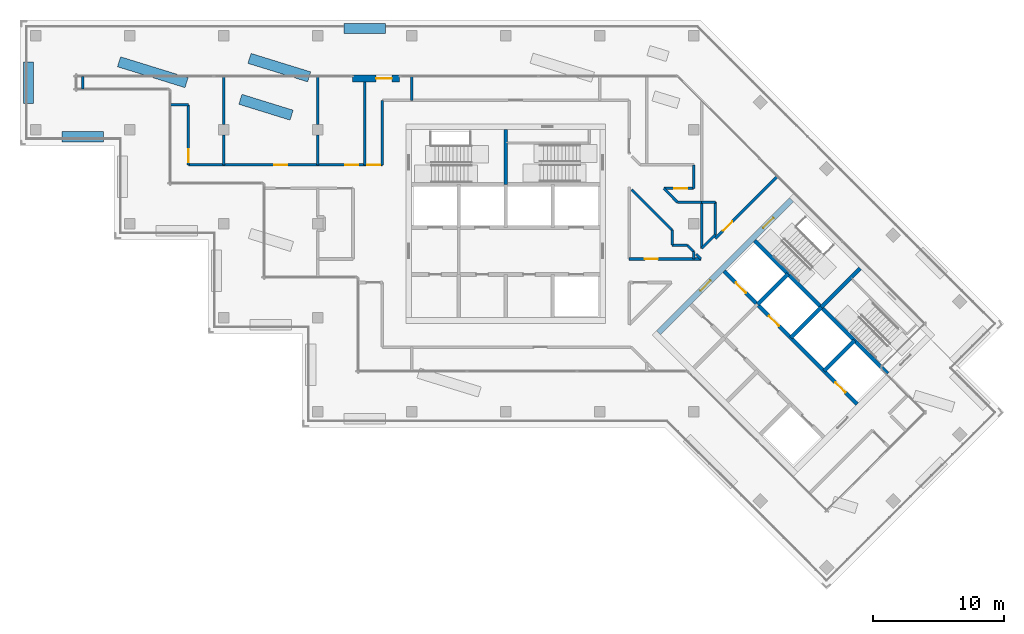
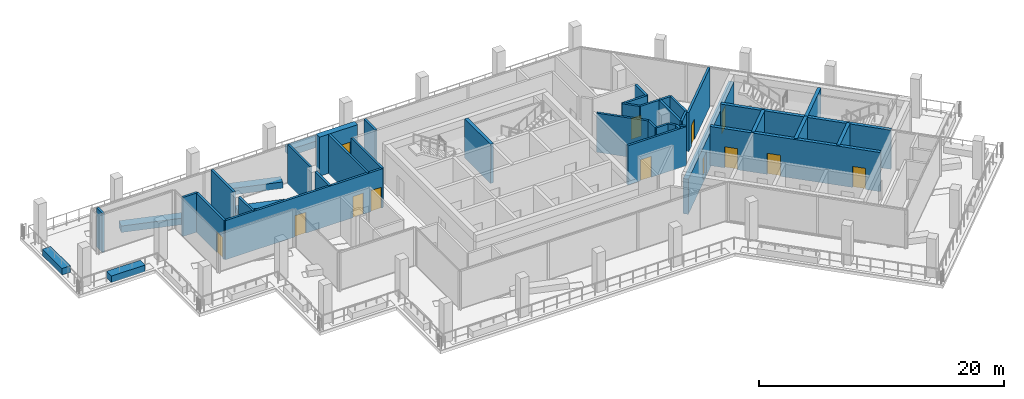
# One storey, part 10 of 20: 43 walls, 13 doors, 13 openings.
"""IFC4 building model written with IfcOpenShell, lengths in metres."""

from ifc_helpers import new_model, si_unit, direction, frame, frame_2d, origin, place, context, subcontext, project, spatial, rectangle, extrude, material, layer, layer_set, type_object, element, fill, save


model = new_model("IFC4")

# Units and contexts
model_context = context("Model", 3, precision=1e-05, world=origin(), true_north=direction((0.0, 1.0)))
body_context = subcontext(model_context, "Body", "Model", "MODEL_VIEW")
ifc_project = project(units=[si_unit("LENGTHUNIT", "METRE"), si_unit("AREAUNIT", "SQUARE_METRE"), si_unit("VOLUMEUNIT", "CUBIC_METRE"), si_unit("PLANEANGLEUNIT", "RADIAN"), si_unit("MASSUNIT", "GRAM", prefix="KILO")], contexts=[model_context])

# Site, building, storey
site_placement = place(None, origin())
site = spatial("IfcSite", under=ifc_project, at=site_placement, CompositionType="ELEMENT")
building_placement = place(site_placement, origin())
building = spatial("IfcBuilding", under=site, at=building_placement, Name="Windrow Commons", CompositionType="ELEMENT")
storey_placement = place(building_placement, frame((0.0, 0.0, 239.6)))
storey = spatial("IfcBuildingStorey", under=building, at=storey_placement, Name="L65", CompositionType="ELEMENT", Elevation=239.6)

# Wall, opening, door
ifc_material_1 = material(Name="Brick masonry, red clay brick", Category="masonry")
ifc_layer_1 = layer(ifc_material_1, 0.55)
ifc_layer_set_1 = layer_set([ifc_layer_1], Name="Brick facade wall 550")
wall_type_1 = type_object("IfcWallType", Name="Brick facade wall 550", PredefinedType="SOLIDWALL", material=ifc_layer_set_1)
wall_1_placement = place(storey_placement, frame((56.6784, 68.725, 0.0), z_axis=(0.0, 0.0, 1.0), x_axis=(-1.0, 0.0, 0.0)))
wall_1 = element("IfcWall", 1, at=wall_1_placement, inside=storey, type_object=wall_type_1, Name="Brick facade wall L65 door pier 4", PredefinedType="SOLIDWALL", context=body_context, shape_type="SweptSolid", body=[
    extrude(rectangle(XDim=3.6, YDim=0.55, at=frame_2d((1.8, 0.0))), origin(), (0.0, 0.0, 1.0), 3.9),
])
opening_1_placement = place(wall_1_placement, frame((0.6, 0.0, 0.0)))
opening_1 = element("IfcOpeningElement", 2, at=opening_1_placement, cuts=wall_1, Name="Opening TD7", PredefinedType="OPENING", context=body_context, shape_type="SweptSolid", body=[
    extrude(rectangle(XDim=1.2, YDim=2.4, at=frame_2d((0.6, 1.2))), frame((0.0, 0.285, 0.0), z_axis=(0.0, -1.0, 0.0), x_axis=(1.0, 0.0, 0.0)), (0.0, 0.0, 1.0), 0.57),
])
ifc_material_2 = material(Name="Aluminium 6063-T6 anodised frame with clear glass", Category="aluminium")
door_type_1 = type_object("IfcDoorType", Name="Terrace door TD7 1200x2400", OperationType="SINGLE_SWING_LEFT", PredefinedType="DOOR", material=ifc_material_2)
door_1_placement = place(opening_1_placement, origin())
door_1 = element("IfcDoor", 3, at=door_1_placement, inside=storey, type_object=door_type_1, Name="Terrace door L65 4.1", OperationType="SINGLE_SWING_LEFT", OverallHeight=2.4, OverallWidth=1.2, PredefinedType="DOOR", context=body_context, shape_type="SweptSolid", body=[
    extrude(rectangle(XDim=1.2, YDim=2.4, at=frame_2d((0.6, 1.2))), frame((0.0, 0.025, 0.0), z_axis=(0.0, -1.0, 0.0), x_axis=(1.0, 0.0, 0.0)), (0.0, 0.0, 1.0), 0.05),
])
fill(opening_1, door_1)

# Wall, openings, doors
ifc_material_3 = material(Name="Blockwork partition", Category="masonry")
ifc_layer_2 = layer(ifc_material_3, 0.2)
ifc_layer_set_2 = layer_set([ifc_layer_2], Name="IW-CORRIDOR-200")
wall_type_2 = type_object("IfcWallType", Name="IW-CORRIDOR-200", PredefinedType="PARTITIONING", material=ifc_layer_set_2)
wall_2_placement = place(storey_placement, frame((40.502, 62.1, 0.0), z_axis=(0.0, 0.0, 1.0), x_axis=(1.0, 0.0, 0.0)))
wall_2 = element("IfcWall", 4, at=wall_2_placement, inside=storey, type_object=wall_type_2, Name="W-L65-W002", PredefinedType="PARTITIONING", context=body_context, shape_type="SweptSolid", body=[
    extrude(rectangle(XDim=14.848, YDim=0.2, at=frame_2d((7.424, 0.0))), origin(), (0.0, 0.0, 1.0), 3.9),
])
opening_2_placement = place(wall_2_placement, frame((6.5605, 0.0, 0.0)))
opening_2 = element("IfcOpeningElement", 5, at=opening_2_placement, cuts=wall_2, Name="Opening D310F", PredefinedType="OPENING", context=body_context, shape_type="SweptSolid", body=[
    extrude(rectangle(XDim=1.0, YDim=2.1, at=frame_2d((0.5, 1.05))), frame((0.0, 0.11, 0.0), z_axis=(0.0, -1.0, 0.0), x_axis=(1.0, 0.0, 0.0)), (0.0, 0.0, 1.0), 0.22),
])
opening_3_placement = place(wall_2_placement, frame((11.9905, 0.0, 0.0)))
opening_3 = element("IfcOpeningElement", 6, at=opening_3_placement, cuts=wall_2, Name="Opening D310F", PredefinedType="OPENING", context=body_context, shape_type="SweptSolid", body=[
    extrude(rectangle(XDim=1.0, YDim=2.1, at=frame_2d((0.5, 1.05))), frame((0.0, 0.11, 0.0), z_axis=(0.0, -1.0, 0.0), x_axis=(1.0, 0.0, 0.0)), (0.0, 0.0, 1.0), 0.22),
])
opening_4_placement = place(wall_2_placement, frame((13.6951, 0.0, 0.0)))
opening_4 = element("IfcOpeningElement", 7, at=opening_4_placement, cuts=wall_2, Name="Opening D310F", PredefinedType="OPENING", context=body_context, shape_type="SweptSolid", body=[
    extrude(rectangle(XDim=1.0, YDim=2.1, at=frame_2d((0.5, 1.05))), frame((0.0, 0.11, 0.0), z_axis=(0.0, -1.0, 0.0), x_axis=(1.0, 0.0, 0.0)), (0.0, 0.0, 1.0), 0.22),
])
ifc_material_4 = material(Name="Timber door leaf", Category="wood")
door_type_2 = type_object("IfcDoorType", Name="DT-AMENITY-1000", OperationType="SINGLE_SWING_LEFT", PredefinedType="DOOR", material=ifc_material_4)
door_2_placement = place(opening_2_placement, origin())
door_2 = element("IfcDoor", 8, at=door_2_placement, inside=storey, type_object=door_type_2, Name="D-L65-D007", OperationType="SINGLE_SWING_RIGHT", OverallHeight=2.1, OverallWidth=1.0, PredefinedType="DOOR", context=body_context, shape_type="SweptSolid", body=[
    extrude(rectangle(XDim=1.0, YDim=2.1, at=frame_2d((0.5, 1.05))), frame((0.0, 0.025, 0.0), z_axis=(0.0, -1.0, 0.0), x_axis=(1.0, 0.0, 0.0)), (0.0, 0.0, 1.0), 0.05),
])
fill(opening_2, door_2)
door_3_placement = place(opening_3_placement, origin())
door_3 = element("IfcDoor", 9, at=door_3_placement, inside=storey, type_object=door_type_2, Name="D-L65-D008", OperationType="SINGLE_SWING_RIGHT", OverallHeight=2.1, OverallWidth=1.0, PredefinedType="DOOR", context=body_context, shape_type="SweptSolid", body=[
    extrude(rectangle(XDim=1.0, YDim=2.1, at=frame_2d((0.5, 1.05))), frame((0.0, 0.025, 0.0), z_axis=(0.0, -1.0, 0.0), x_axis=(1.0, 0.0, 0.0)), (0.0, 0.0, 1.0), 0.05),
])
fill(opening_3, door_3)
door_4_placement = place(opening_4_placement, origin())
door_4 = element("IfcDoor", 10, at=door_4_placement, inside=storey, type_object=door_type_2, Name="D-L65-D009", OperationType="SINGLE_SWING_LEFT", OverallHeight=2.1, OverallWidth=1.0, PredefinedType="DOOR", context=body_context, shape_type="SweptSolid", body=[
    extrude(rectangle(XDim=1.0, YDim=2.1, at=frame_2d((0.5, 1.05))), frame((0.0, 0.025, 0.0), z_axis=(0.0, -1.0, 0.0), x_axis=(1.0, 0.0, 0.0)), (0.0, 0.0, 1.0), 0.05),
])
fill(opening_4, door_4)

# Wall, opening, door
wall_3_placement = place(storey_placement, frame((80.8515, 56.4705, 0.0), z_axis=(0.0, 0.0, 1.0), x_axis=(0.7071067812, 0.7071067812, 0.0)))
wall_3 = element("IfcWall", 11, at=wall_3_placement, inside=storey, type_object=wall_type_2, Name="W-L65-W008", PredefinedType="PARTITIONING", context=body_context, shape_type="SweptSolid", body=[
    extrude(rectangle(XDim=6.6836, YDim=0.2, at=frame_2d((3.3418, 0.0))), origin(), (0.0, 0.0, 1.0), 3.9),
])
opening_5_placement = place(wall_3_placement, frame((0.8318, 0.0, 0.0)))
opening_5 = element("IfcOpeningElement", 12, at=opening_5_placement, cuts=wall_3, Name="Opening D310F", PredefinedType="OPENING", context=body_context, shape_type="SweptSolid", body=[
    extrude(rectangle(XDim=1.0, YDim=2.1, at=frame_2d((0.5, 1.05))), frame((0.0, 0.11, 0.0), z_axis=(0.0, -1.0, 0.0), x_axis=(1.0, 0.0, 0.0)), (0.0, 0.0, 1.0), 0.22),
])
door_5_placement = place(opening_5_placement, origin())
door_5 = element("IfcDoor", 13, at=door_5_placement, inside=storey, type_object=door_type_2, Name="D-L65-D013", OperationType="SINGLE_SWING_RIGHT", OverallHeight=2.1, OverallWidth=1.0, PredefinedType="DOOR", context=body_context, shape_type="SweptSolid", body=[
    extrude(rectangle(XDim=1.0, YDim=2.1, at=frame_2d((0.5, 1.05))), frame((0.0, 0.025, 0.0), z_axis=(0.0, -1.0, 0.0), x_axis=(1.0, 0.0, 0.0)), (0.0, 0.0, 1.0), 0.05),
])
fill(opening_5, door_5)

wall_4_placement = place(storey_placement, frame((74.252, 54.9, 0.0), z_axis=(0.0, 0.0, 1.0), x_axis=(1.0, 0.0, 0.0)))
wall_4 = element("IfcWall", 14, at=wall_4_placement, inside=storey, type_object=wall_type_2, Name="W-L65-W009", PredefinedType="PARTITIONING", context=body_context, shape_type="SweptSolid", body=[
    extrude(rectangle(XDim=5.5, YDim=0.2, at=frame_2d((2.75, 0.0))), origin(), (0.0, 0.0, 1.0), 3.9),
])
opening_6_placement = place(wall_4_placement, frame((1.2037, 0.0, 0.0)))
opening_6 = element("IfcOpeningElement", 15, at=opening_6_placement, cuts=wall_4, Name="Opening D310F", PredefinedType="OPENING", context=body_context, shape_type="SweptSolid", body=[
    extrude(rectangle(XDim=1.0, YDim=2.1, at=frame_2d((0.5, 1.05))), frame((0.0, 0.11, 0.0), z_axis=(0.0, -1.0, 0.0), x_axis=(1.0, 0.0, 0.0)), (0.0, 0.0, 1.0), 0.22),
])
door_6_placement = place(opening_6_placement, origin())
door_6 = element("IfcDoor", 16, at=door_6_placement, inside=storey, type_object=door_type_2, Name="D-L65-D005", OperationType="SINGLE_SWING_LEFT", OverallHeight=2.1, OverallWidth=1.0, PredefinedType="DOOR", context=body_context, shape_type="SweptSolid", body=[
    extrude(rectangle(XDim=1.0, YDim=2.1, at=frame_2d((0.5, 1.05))), frame((0.0, 0.025, 0.0), z_axis=(0.0, -1.0, 0.0), x_axis=(1.0, 0.0, 0.0)), (0.0, 0.0, 1.0), 0.05),
])
fill(opening_6, door_6)

# Wall
wall_5_placement = place(storey_placement, frame((55.35, 62.102, 0.0), z_axis=(0.0, 0.0, 1.0), x_axis=(0.0, 1.0, 0.0)))
element("IfcWall", 17, at=wall_5_placement, inside=storey, type_object=wall_type_2, Name="W-L65-W013", PredefinedType="PARTITIONING", context=body_context, shape_type="SweptSolid", body=[
    extrude(rectangle(XDim=4.948, YDim=0.2, at=frame_2d((2.474, 0.0))), origin(), (0.0, 0.0, 1.0), 3.9),
])

# Wall, opening, door
wall_6_placement = place(storey_placement, frame((40.5, 62.102, 0.0), z_axis=(0.0, 0.0, 1.0), x_axis=(0.0, 1.0, 0.0)))
wall_6 = element("IfcWall", 18, at=wall_6_placement, inside=storey, type_object=wall_type_2, Name="W-L65-W014", PredefinedType="PARTITIONING", context=body_context, shape_type="SweptSolid", body=[
    extrude(rectangle(XDim=4.596, YDim=0.2, at=frame_2d((2.298, 0.0))), origin(), (0.0, 0.0, 1.0), 3.9),
])
opening_7_placement = place(wall_6_placement, frame((0.1956, 0.0, 0.0)))
opening_7 = element("IfcOpeningElement", 19, at=opening_7_placement, cuts=wall_6, Name="Opening D310F", PredefinedType="OPENING", context=body_context, shape_type="SweptSolid", body=[
    extrude(rectangle(XDim=1.0, YDim=2.1, at=frame_2d((0.5, 1.05))), frame((0.0, 0.11, 0.0), z_axis=(0.0, -1.0, 0.0), x_axis=(1.0, 0.0, 0.0)), (0.0, 0.0, 1.0), 0.22),
])
door_7_placement = place(opening_7_placement, origin())
door_7 = element("IfcDoor", 20, at=door_7_placement, inside=storey, type_object=door_type_2, Name="D-L65-D006", OperationType="SINGLE_SWING_LEFT", OverallHeight=2.1, OverallWidth=1.0, PredefinedType="DOOR", context=body_context, shape_type="SweptSolid", body=[
    extrude(rectangle(XDim=1.0, YDim=2.1, at=frame_2d((0.5, 1.05))), frame((0.0, 0.025, 0.0), z_axis=(0.0, -1.0, 0.0), x_axis=(1.0, 0.0, 0.0)), (0.0, 0.0, 1.0), 0.05),
])
fill(opening_7, door_7)

# Walls
wall_7_placement = place(storey_placement, frame((74.4466, 60.2006, 0.0), z_axis=(0.0, 0.0, 1.0), x_axis=(0.7071067812, -0.7071067812, 0.0)))
element("IfcWall", 21, at=wall_7_placement, inside=storey, type_object=wall_type_2, Name="W-L65-W016", PredefinedType="PARTITIONING", context=body_context, shape_type="SweptSolid", body=[
    extrude(rectangle(XDim=4.3841, YDim=0.2, at=frame_2d((2.1921, 0.0))), origin(), (0.0, 0.0, 1.0), 3.9),
])
wall_8_placement = place(storey_placement, frame((79.8, 55.702, 0.0), z_axis=(0.0, 0.0, 1.0), x_axis=(0.0, 1.0, 0.0)))
element("IfcWall", 22, at=wall_8_placement, inside=storey, type_object=wall_type_2, Name="W-L65-W021", PredefinedType="PARTITIONING", context=body_context, shape_type="SweptSolid", body=[
    extrude(rectangle(XDim=3.548, YDim=0.2, at=frame_2d((1.774, 0.0))), origin(), (0.0, 0.0, 1.0), 3.9),
])

# Wall, opening, door
wall_9_placement = place(storey_placement, frame((76.902, 60.3, 0.0), z_axis=(0.0, 0.0, 1.0), x_axis=(1.0, 0.0, 0.0)))
wall_9 = element("IfcWall", 23, at=wall_9_placement, inside=storey, type_object=wall_type_2, Name="W-L65-W029", PredefinedType="PARTITIONING", context=body_context, shape_type="SweptSolid", body=[
    extrude(rectangle(XDim=2.296, YDim=0.2, at=frame_2d((1.148, 0.0))), origin(), (0.0, 0.0, 1.0), 3.9),
])
opening_8_placement = place(wall_9_placement, frame((0.8134, 0.0, 0.0)))
opening_8 = element("IfcOpeningElement", 24, at=opening_8_placement, cuts=wall_9, Name="Opening D310F", PredefinedType="OPENING", context=body_context, shape_type="SweptSolid", body=[
    extrude(rectangle(XDim=1.0, YDim=2.1, at=frame_2d((0.5, 1.05))), frame((0.0, 0.11, 0.0), z_axis=(0.0, -1.0, 0.0), x_axis=(1.0, 0.0, 0.0)), (0.0, 0.0, 1.0), 0.22),
])
door_8_placement = place(opening_8_placement, origin())
door_8 = element("IfcDoor", 25, at=door_8_placement, inside=storey, type_object=door_type_2, Name="D-L65-D012", OperationType="SINGLE_SWING_LEFT", OverallHeight=2.1, OverallWidth=1.0, PredefinedType="DOOR", context=body_context, shape_type="SweptSolid", body=[
    extrude(rectangle(XDim=1.0, YDim=2.1, at=frame_2d((0.5, 1.05))), frame((0.0, 0.025, 0.0), z_axis=(0.0, -1.0, 0.0), x_axis=(1.0, 0.0, 0.0)), (0.0, 0.0, 1.0), 0.05),
])
fill(opening_8, door_8)

# Walls
wall_10_placement = place(storey_placement, frame((77.95, 59.25, 0.0), z_axis=(0.0, 0.0, 1.0), x_axis=(1.0, 0.0, 0.0)))
element("IfcWall", 26, at=wall_10_placement, inside=storey, type_object=wall_type_2, Name="W-L65-W033", PredefinedType="PARTITIONING", context=body_context, shape_type="SweptSolid", body=[
    extrude(rectangle(XDim=1.85, YDim=0.2, at=frame_2d((0.925, 0.0))), origin(), (0.0, 0.0, 1.0), 3.9),
])
wall_11_placement = place(storey_placement, frame((79.2, 60.302, 0.0), z_axis=(0.0, 0.0, 1.0), x_axis=(0.0, 1.0, 0.0)))
element("IfcWall", 27, at=wall_11_placement, inside=storey, type_object=wall_type_2, Name="W-L65-W039", PredefinedType="PARTITIONING", context=body_context, shape_type="SweptSolid", body=[
    extrude(rectangle(XDim=1.798, YDim=0.2, at=frame_2d((0.899, 0.0))), origin(), (0.0, 0.0, 1.0), 3.9),
])
wall_12_placement = place(storey_placement, frame((76.9037, 60.3017, 0.0), z_axis=(0.0, 0.0, 1.0), x_axis=(0.7064323832, -0.7077805366, 0.0)))
element("IfcWall", 28, at=wall_12_placement, inside=storey, type_object=wall_type_2, Name="W-L65-W041", PredefinedType="PARTITIONING", context=body_context, shape_type="SweptSolid", body=[
    extrude(rectangle(XDim=1.4835, YDim=0.2, at=frame_2d((0.7418, 0.0))), origin(), (0.0, 0.0, 1.0), 3.9),
])
wall_13_placement = place(storey_placement, frame((79.8011, 55.7029, 0.0), z_axis=(0.0, 0.0, 1.0), x_axis=(0.7071067812, 0.7071067812, 0.0)))
element("IfcWall", 29, at=wall_13_placement, inside=storey, type_object=wall_type_2, Name="W-L65-W042", PredefinedType="PARTITIONING", context=body_context, shape_type="SweptSolid", body=[
    extrude(rectangle(XDim=1.4821, YDim=0.2, at=frame_2d((0.741, 0.0))), origin(), (0.0, 0.0, 1.0), 3.9),
])
wall_14_placement = place(storey_placement, frame((39.13, 66.7, 0.0), z_axis=(0.0, 0.0, 1.0), x_axis=(1.0, 0.0, 0.0)))
element("IfcWall", 30, at=wall_14_placement, inside=storey, type_object=wall_type_2, Name="W-L65-W044", PredefinedType="PARTITIONING", context=body_context, shape_type="SweptSolid", body=[
    extrude(rectangle(XDim=1.368, YDim=0.2, at=frame_2d((0.684, 0.0))), origin(), (0.0, 0.0, 1.0), 3.9),
])
for number, where, z_axis, x_axis, name in (
    (31, (77.55, 55.952, 0.0), (0.0, 0.0, 1.0), (0.0, 1.0, 0.0), "W-L65-W045"),
    (32, (77.552, 55.95, 0.0), (0.0, 0.0, 1.0), (1.0, 0.0, 0.0), "W-L65-W046"),
):
    element("IfcWall", number, at=place(storey_placement, frame(where, z_axis=z_axis, x_axis=x_axis)), inside=storey, type_object=wall_type_2, Name=name, PredefinedType="PARTITIONING", context=body_context, shape_type="SweptSolid", body=[
        extrude(rectangle(XDim=1.152, YDim=0.2, at=frame_2d((0.576, 0.0))), origin(), (0.0, 0.0, 1.0), 3.9),
    ])
wall_15_placement = place(storey_placement, frame((78.7006, 55.9466, 0.0), z_axis=(0.0, 0.0, 1.0), x_axis=(0.7071067812, -0.7071067812, 0.0)))
element("IfcWall", 33, at=wall_15_placement, inside=storey, type_object=wall_type_2, Name="W-L65-W051", PredefinedType="PARTITIONING", context=body_context, shape_type="SweptSolid", body=[
    extrude(rectangle(XDim=0.7014, YDim=0.2, at=frame_2d((0.3507, 0.0))), origin(), (0.0, 0.0, 1.0), 3.9),
])
wall_16_placement = place(storey_placement, frame((79.3777, 55.2777, 0.0), z_axis=(0.0, 0.0, 1.0), x_axis=(0.7089898784, -0.7052186557, 0.0)))
element("IfcWall", 34, at=wall_16_placement, inside=storey, type_object=wall_type_2, Name="W-L65-W054", PredefinedType="PARTITIONING", context=body_context, shape_type="SweptSolid", body=[
    extrude(rectangle(XDim=0.5303, YDim=0.2, at=frame_2d((0.2651, 0.0))), origin(), (0.0, 0.0, 1.0), 3.9),
])
ifc_material_5 = material(Name="Blockwork partition", Category="masonry")
ifc_layer_3 = layer(ifc_material_5, 0.2)
ifc_layer_set_3 = layer_set([ifc_layer_3], Name="IW-PARTY-200")
wall_type_3 = type_object("IfcWallType", Name="IW-PARTY-200", PredefinedType="PARTITIONING", material=ifc_layer_set_3)
wall_17_placement = place(storey_placement, frame((54.0, 62.1, 0.0), z_axis=(0.0, 0.0, 1.0), x_axis=(0.0, 1.0, 0.0)))
element("IfcWall", 35, at=wall_17_placement, inside=storey, type_object=wall_type_3, Name="W-L65-W006", PredefinedType="PARTITIONING", context=body_context, shape_type="SweptSolid", body=[
    extrude(rectangle(XDim=6.35, YDim=0.2, at=frame_2d((3.175, 0.0))), origin(), (0.0, 0.0, 1.0), 3.9),
])
for number, where, z_axis, x_axis, name in (
    (36, (43.2, 65.2, 0.0), (0.0, 0.0, 1.0), (0.0, 1.0, 0.0), "W-L65-W019"),
    (37, (50.4, 65.2, 0.0), (0.0, 0.0, 1.0), (0.0, 1.0, 0.0), "W-L65-W020"),
):
    element("IfcWall", number, at=place(storey_placement, frame(where, z_axis=z_axis, x_axis=x_axis)), inside=storey, type_object=wall_type_3, Name=name, PredefinedType="PARTITIONING", context=body_context, shape_type="SweptSolid", body=[
        extrude(rectangle(XDim=3.67, YDim=0.2, at=frame_2d((1.835, 0.0))), origin(), (0.0, 0.0, 1.0), 3.9),
    ])
wall_18_placement = place(storey_placement, frame((80.85, 56.75, 0.0), z_axis=(0.0, 0.0, 1.0), x_axis=(0.0, 1.0, 0.0)))
element("IfcWall", 38, at=wall_18_placement, inside=storey, type_object=wall_type_3, Name="W-L65-W026", PredefinedType="PARTITIONING", context=body_context, shape_type="SweptSolid", body=[
    extrude(rectangle(XDim=2.498, YDim=0.2, at=frame_2d((1.249, 0.0))), origin(), (0.0, 0.0, 1.0), 3.9),
])
for number, where, z_axis, x_axis, name in (
    (39, (43.2, 62.1, 0.0), (0.0, 0.0, 1.0), (0.0, 1.0, 0.0), "W-L65-W027"),
    (40, (50.4, 62.1, 0.0), (0.0, 0.0, 1.0), (0.0, 1.0, 0.0), "W-L65-W028"),
):
    element("IfcWall", number, at=place(storey_placement, frame(where, z_axis=z_axis, x_axis=x_axis)), inside=storey, type_object=wall_type_3, Name=name, PredefinedType="PARTITIONING", context=body_context, shape_type="SweptSolid", body=[
        extrude(rectangle(XDim=2.3, YDim=0.2, at=frame_2d((1.15, 0.0))), origin(), (0.0, 0.0, 1.0), 3.9),
    ])
wall_19_placement = place(storey_placement, frame((57.6, 67.05, 0.0), z_axis=(0.0, 0.0, 1.0), x_axis=(0.0, 1.0, 0.0)))
element("IfcWall", 41, at=wall_19_placement, inside=storey, type_object=wall_type_3, Name="W-L65-W034", PredefinedType="PARTITIONING", context=body_context, shape_type="SweptSolid", body=[
    extrude(rectangle(XDim=1.82, YDim=0.2, at=frame_2d((0.91, 0.0))), origin(), (0.0, 0.0, 1.0), 3.9),
])
wall_20_placement = place(storey_placement, frame((79.8, 59.25, 0.0), z_axis=(0.0, 0.0, 1.0), x_axis=(1.0, 0.0, 0.0)))
element("IfcWall", 42, at=wall_20_placement, inside=storey, type_object=wall_type_3, Name="W-L65-W047", PredefinedType="PARTITIONING", context=body_context, shape_type="SweptSolid", body=[
    extrude(rectangle(XDim=1.048, YDim=0.2, at=frame_2d((0.524, 0.0))), origin(), (0.0, 0.0, 1.0), 3.9),
])
wall_21_placement = place(storey_placement, frame((32.4, 67.93, 0.0), z_axis=(0.0, 0.0, 1.0), x_axis=(0.0, 1.0, 0.0)))
element("IfcWall", 43, at=wall_21_placement, inside=storey, type_object=wall_type_3, Name="W-L65-W049", PredefinedType="PARTITIONING", context=body_context, shape_type="SweptSolid", body=[
    extrude(rectangle(XDim=0.94, YDim=0.2, at=frame_2d((0.47, 0.0))), origin(), (0.0, 0.0, 1.0), 3.9),
])
wall_22_placement = place(storey_placement, frame((79.2, 54.9, 0.0), z_axis=(0.0, 0.0, 1.0), x_axis=(0.0, 1.0, 0.0)))
element("IfcWall", 44, at=wall_22_placement, inside=storey, type_object=wall_type_3, Name="W-L65-W053", PredefinedType="PARTITIONING", context=body_context, shape_type="SweptSolid", body=[
    extrude(rectangle(XDim=0.552, YDim=0.2, at=frame_2d((0.276, 0.0))), origin(), (0.0, 0.0, 1.0), 3.9),
])
ifc_material_6 = material(Name="Concrete C30/37 planter wall", Category="concrete")
ifc_layer_4 = layer(ifc_material_6, 0.8)
ifc_layer_set_4 = layer_set([ifc_layer_4], Name="Planter 800x600")
wall_type_4 = type_object("IfcWallType", Name="Planter 800x600", PredefinedType="SOLIDWALL", material=ifc_layer_set_4)
for number, where, z_axis, x_axis, name in (
    (45, (55.6, 72.55, 0.0), (0.0, 0.0, 1.0), (-1.0, 0.0, 0.0), "PLANTER TR-L65-1.5"),
    (46, (28.25, 70.0, 0.0), (0.0, 0.0, 1.0), (0.0, -1.0, 0.0), "PLANTER TR-L65-1.6"),
    (47, (30.8, 64.25, 0.0), (0.0, 0.0, 1.0), (1.0, 0.0, 0.0), "PLANTER TR-L65-1.7"),
):
    element("IfcWall", number, at=place(storey_placement, frame(where, z_axis=z_axis, x_axis=x_axis)), inside=storey, type_object=wall_type_4, Name=name, PredefinedType="SOLIDWALL", context=body_context, shape_type="SweptSolid", body=[
        extrude(rectangle(XDim=3.2, YDim=0.8, at=frame_2d((1.6, 0.0))), origin(), (0.0, 0.0, 1.0), 0.65),
    ])
wall_23_placement = place(storey_placement, frame((49.7456, 68.8459, 0.0), z_axis=(0.0, 0.0, 1.0), x_axis=(-0.9553559962, 0.2954571382, 0.0)))
element("IfcWall", 48, at=wall_23_placement, inside=storey, type_object=wall_type_4, Name="PLANTER TR-L65-1 bed 5", PredefinedType="SOLIDWALL", context=body_context, shape_type="SweptSolid", body=[
    extrude(rectangle(XDim=4.7851, YDim=0.8, at=frame_2d((2.3925, 0.0))), origin(), (0.0, 0.0, 1.0), 0.65),
])
wall_24_placement = place(storey_placement, frame((48.4, 65.9125, 0.0), z_axis=(0.0, 0.0, 1.0), x_axis=(-0.9553584107, 0.2954493308, 0.0)))
element("IfcWall", 49, at=wall_24_placement, inside=storey, type_object=wall_type_4, Name="PLANTER TR-L65-1 bed 7", PredefinedType="SOLIDWALL", context=body_context, shape_type="SweptSolid", body=[
    extrude(rectangle(XDim=4.1066, YDim=0.8, at=frame_2d((2.0533, 0.0))), origin(), (0.0, 0.0, 1.0), 0.65),
])
wall_25_placement = place(storey_placement, frame((40.3565, 68.4, 0.0), z_axis=(0.0, 0.0, 1.0), x_axis=(-0.9553596268, 0.2954453985, 0.0)))
element("IfcWall", 50, at=wall_25_placement, inside=storey, type_object=wall_type_4, Name="PLANTER TR-L65-1 bed 8", PredefinedType="SOLIDWALL", context=body_context, shape_type="SweptSolid", body=[
    extrude(rectangle(XDim=5.4156, YDim=0.8, at=frame_2d((2.7078, 0.0))), origin(), (0.0, 0.0, 1.0), 0.65),
])

# Wall, openings, doors
ifc_material_7 = material(Name="Concrete C40/50", Category="concrete")
ifc_layer_5 = layer(ifc_material_7, 0.45)
ifc_layer_set_5 = layer_set([ifc_layer_5], Name="RC CORE WALL 450 C40/50")
wall_type_5 = type_object("IfcWallType", Name="RC CORE WALL 450 C40/50", PredefinedType="SHEAR", material=ifc_layer_set_5)
wall_26_placement = place(storey_placement, frame((76.4953, 49.2488, -0.3), z_axis=(0.0, 0.0, 1.0), x_axis=(0.7071067812, 0.7071067812, 0.0)))
wall_26 = element("IfcWall", 51, at=wall_26_placement, inside=storey, type_object=wall_type_5, Name="Core B wall outer-W", PredefinedType="SHEAR", context=body_context, shape_type="SweptSolid", body=[
    extrude(rectangle(XDim=14.4001, YDim=0.45, at=frame_2d((7.2001, 0.0))), origin(), (0.0, 0.0, 1.0), 3.5),
])
opening_9_placement = place(wall_26_placement, frame((4.55, 0.0, 0.3)))
opening_9 = element("IfcOpeningElement", 52, at=opening_9_placement, cuts=wall_26, Name="Opening D6", PredefinedType="OPENING", context=body_context, shape_type="SweptSolid", body=[
    extrude(rectangle(XDim=1.1, YDim=2.1, at=frame_2d((0.55, 1.05))), frame((0.0, 0.235, 0.0), z_axis=(0.0, -1.0, 0.0), x_axis=(1.0, 0.0, 0.0)), (0.0, 0.0, 1.0), 0.47),
])
opening_10_placement = place(wall_26_placement, frame((11.35, 0.0, 0.3)))
opening_10 = element("IfcOpeningElement", 53, at=opening_10_placement, cuts=wall_26, Name="Opening D7", PredefinedType="OPENING", context=body_context, shape_type="SweptSolid", body=[
    extrude(rectangle(XDim=1.1, YDim=2.1, at=frame_2d((0.55, 1.05))), frame((0.0, 0.235, 0.0), z_axis=(0.0, -1.0, 0.0), x_axis=(1.0, 0.0, 0.0)), (0.0, 0.0, 1.0), 0.47),
])
ifc_material_8 = material(Name="Steel fire door leaf", Category="steel")
door_type_3 = type_object("IfcDoorType", Name="Core lobby door 1100", OperationType="SINGLE_SWING_LEFT", PredefinedType="DOOR", material=ifc_material_8)
door_9_placement = place(opening_9_placement, origin())
door_9 = element("IfcDoor", 54, at=door_9_placement, inside=storey, type_object=door_type_3, Name="Lift lobby door", OperationType="DOUBLE_DOOR_SINGLE_SWING", OverallHeight=2.1, OverallWidth=1.1, PredefinedType="DOOR", context=body_context, shape_type="SweptSolid", body=[
    extrude(rectangle(XDim=1.1, YDim=2.1, at=frame_2d((0.55, 1.05))), frame((0.0, 0.025, 0.0), z_axis=(0.0, -1.0, 0.0), x_axis=(1.0, 0.0, 0.0)), (0.0, 0.0, 1.0), 0.05),
])
fill(opening_9, door_9)
ifc_material_9 = material(Name="Steel fire door leaf", Category="steel")
door_type_4 = type_object("IfcDoorType", Name="Stair door 1100", OperationType="SINGLE_SWING_LEFT", PredefinedType="DOOR", material=ifc_material_9)
door_10_placement = place(opening_10_placement, origin())
door_10 = element("IfcDoor", 55, at=door_10_placement, inside=storey, type_object=door_type_4, Name="Stair door", OperationType="SINGLE_SWING_LEFT", OverallHeight=2.1, OverallWidth=1.1, PredefinedType="DOOR", context=body_context, shape_type="SweptSolid", body=[
    extrude(rectangle(XDim=1.1, YDim=2.1, at=frame_2d((0.55, 1.05))), frame((0.0, 0.025, 0.0), z_axis=(0.0, -1.0, 0.0), x_axis=(1.0, 0.0, 0.0)), (0.0, 0.0, 1.0), 0.05),
])
fill(opening_10, door_10)

# Walls
ifc_material_10 = material(Name="Concrete C40/50", Category="concrete")
ifc_layer_6 = layer(ifc_material_10, 0.3)
ifc_layer_set_6 = layer_set([ifc_layer_6], Name="RC SHAFT WALL 300 C40/50")
wall_type_6 = type_object("IfcWallType", Name="RC SHAFT WALL 300 C40/50", PredefinedType="SOLIDWALL", material=ifc_layer_set_6)
wall_27_placement = place(storey_placement, frame((64.8, 60.6, 0.0), z_axis=(0.0, 0.0, 1.0), x_axis=(0.0, 1.0, 0.0)))
element("IfcWall", 56, at=wall_27_placement, inside=storey, type_object=wall_type_6, Name="Core A wall stair-mid", PredefinedType="SOLIDWALL", context=body_context, shape_type="SweptSolid", body=[
    extrude(rectangle(XDim=4.2, YDim=0.3, at=frame_2d((2.1, 0.0))), origin(), (0.0, 0.0, 1.0), 3.9),
])
wall_28_placement = place(storey_placement, frame((84.079, 51.4232, 0.0), z_axis=(0.0, 0.0, 1.0), x_axis=(0.7071219326, 0.7070916295, 0.0)))
element("IfcWall", 57, at=wall_28_placement, inside=storey, type_object=wall_type_6, Name="Core B wall shaft-N1", PredefinedType="SOLIDWALL", context=body_context, shape_type="SweptSolid", body=[
    extrude(rectangle(XDim=3.3, YDim=0.3, at=frame_2d((1.65, 0.0))), origin(), (0.0, 0.0, 1.0), 3.9),
])
for number, where, z_axis, x_axis, name in (
    (58, (86.6246, 48.8776, 0.0), (0.0, 0.0, 1.0), (0.7071067812, 0.7071067812, 0.0), "Core B wall shaft-N2"),
    (59, (89.1702, 46.332, 0.0), (0.0, 0.0, 1.0), (0.7071067812, 0.7071067812, 0.0), "Core B wall shaft-N3"),
):
    element("IfcWall", number, at=place(storey_placement, frame(where, z_axis=z_axis, x_axis=x_axis)), inside=storey, type_object=wall_type_6, Name=name, PredefinedType="SOLIDWALL", context=body_context, shape_type="SweptSolid", body=[
        extrude(rectangle(XDim=3.3001, YDim=0.3, at=frame_2d((1.6501, 0.0))), origin(), (0.0, 0.0, 1.0), 3.9),
    ])

# Wall, openings, doors
wall_29_placement = place(storey_placement, frame((81.5335, 53.9688, 0.0), z_axis=(0.0, 0.0, 1.0), x_axis=(0.707103309, -0.7071102534, 0.0)))
wall_29 = element("IfcWall", 60, at=wall_29_placement, inside=storey, type_object=wall_type_6, Name="Core B wall lobby-N", PredefinedType="SOLIDWALL", context=body_context, shape_type="SweptSolid", body=[
    extrude(rectangle(XDim=14.4, YDim=0.3, at=frame_2d((7.2, 0.0))), origin(), (0.0, 0.0, 1.0), 3.9),
])
opening_11_placement = place(wall_29_placement, frame((1.25, 0.0, 0.0)))
opening_11 = element("IfcOpeningElement", 61, at=opening_11_placement, cuts=wall_29, Name="Opening LD", PredefinedType="OPENING", context=body_context, shape_type="SweptSolid", body=[
    extrude(rectangle(XDim=1.1, YDim=2.1, at=frame_2d((0.55, 1.05))), frame((0.0, 0.16, 0.0), z_axis=(0.0, -1.0, 0.0), x_axis=(1.0, 0.0, 0.0)), (0.0, 0.0, 1.0), 0.32),
])
opening_12_placement = place(wall_29_placement, frame((4.85, 0.0, 0.0)))
opening_12 = element("IfcOpeningElement", 62, at=opening_12_placement, cuts=wall_29, Name="Opening LD", PredefinedType="OPENING", context=body_context, shape_type="SweptSolid", body=[
    extrude(rectangle(XDim=1.1, YDim=2.1, at=frame_2d((0.55, 1.05))), frame((0.0, 0.16, 0.0), z_axis=(0.0, -1.0, 0.0), x_axis=(1.0, 0.0, 0.0)), (0.0, 0.0, 1.0), 0.32),
])
opening_13_placement = place(wall_29_placement, frame((12.05, 0.0, 0.0)))
opening_13 = element("IfcOpeningElement", 63, at=opening_13_placement, cuts=wall_29, Name="Opening LD", PredefinedType="OPENING", context=body_context, shape_type="SweptSolid", body=[
    extrude(rectangle(XDim=1.1, YDim=2.1, at=frame_2d((0.55, 1.05))), frame((0.0, 0.16, 0.0), z_axis=(0.0, -1.0, 0.0), x_axis=(1.0, 0.0, 0.0)), (0.0, 0.0, 1.0), 0.32),
])
ifc_material_11 = material(Name="Stainless steel door leaf", Category="steel")
door_type_5 = type_object("IfcDoorType", Name="Lift landing door 1100", OperationType="SLIDING_TO_LEFT", PredefinedType="DOOR", material=ifc_material_11)
door_11_placement = place(opening_11_placement, origin())
door_11 = element("IfcDoor", 64, at=door_11_placement, inside=storey, type_object=door_type_5, Name="Lift landing door", OperationType="SLIDING_TO_LEFT", OverallHeight=2.1, OverallWidth=1.1, PredefinedType="DOOR", context=body_context, shape_type="SweptSolid", body=[
    extrude(rectangle(XDim=1.1, YDim=2.1, at=frame_2d((0.55, 1.05))), frame((0.0, 0.025, 0.0), z_axis=(0.0, -1.0, 0.0), x_axis=(1.0, 0.0, 0.0)), (0.0, 0.0, 1.0), 0.05),
])
fill(opening_11, door_11)
door_12_placement = place(opening_12_placement, origin())
door_12 = element("IfcDoor", 65, at=door_12_placement, inside=storey, type_object=door_type_5, Name="Lift landing door", OperationType="SLIDING_TO_RIGHT", OverallHeight=2.1, OverallWidth=1.1, PredefinedType="DOOR", context=body_context, shape_type="SweptSolid", body=[
    extrude(rectangle(XDim=1.1, YDim=2.1, at=frame_2d((0.55, 1.05))), frame((0.0, 0.025, 0.0), z_axis=(0.0, -1.0, 0.0), x_axis=(1.0, 0.0, 0.0)), (0.0, 0.0, 1.0), 0.05),
])
fill(opening_12, door_12)
door_13_placement = place(opening_13_placement, origin())
door_13 = element("IfcDoor", 66, at=door_13_placement, inside=storey, type_object=door_type_5, Name="Lift landing door", OperationType="SLIDING_TO_RIGHT", OverallHeight=2.1, OverallWidth=1.1, PredefinedType="DOOR", context=body_context, shape_type="SweptSolid", body=[
    extrude(rectangle(XDim=1.1, YDim=2.1, at=frame_2d((0.55, 1.05))), frame((0.0, 0.025, 0.0), z_axis=(0.0, -1.0, 0.0), x_axis=(1.0, 0.0, 0.0)), (0.0, 0.0, 1.0), 0.05),
])
fill(opening_13, door_13)

# Walls
for number, where, z_axis, x_axis, name in (
    (67, (83.8669, 56.3022, 0.0), (0.0, 0.0, 1.0), (0.7071137256, -0.7070998367, 0.0), "Core B wall stair-S"),
    (68, (88.9581, 51.2111, 0.0), (0.0, 0.0, 1.0), (0.7070998367, -0.7071137256, 0.0), "Core B wall stair-S2"),
):
    element("IfcWall", number, at=place(storey_placement, frame(where, z_axis=z_axis, x_axis=x_axis)), inside=storey, type_object=wall_type_6, Name=name, PredefinedType="SOLIDWALL", context=body_context, shape_type="SweptSolid", body=[
        extrude(rectangle(XDim=7.2, YDim=0.3, at=frame_2d((3.6, 0.0))), origin(), (0.0, 0.0, 1.0), 3.9),
    ])
wall_30_placement = place(storey_placement, frame((88.9581, 51.2111, 0.0), z_axis=(0.0, 0.0, 1.0), x_axis=(0.7071067812, 0.7071067812, 0.0)))
element("IfcWall", 69, at=wall_30_placement, inside=storey, type_object=wall_type_6, Name="Core B wall stair-mid", PredefinedType="SOLIDWALL", context=body_context, shape_type="SweptSolid", body=[
    extrude(rectangle(XDim=4.1999, YDim=0.3, at=frame_2d((2.1, 0.0))), origin(), (0.0, 0.0, 1.0), 3.9),
])

save(model, "model.ifc")
